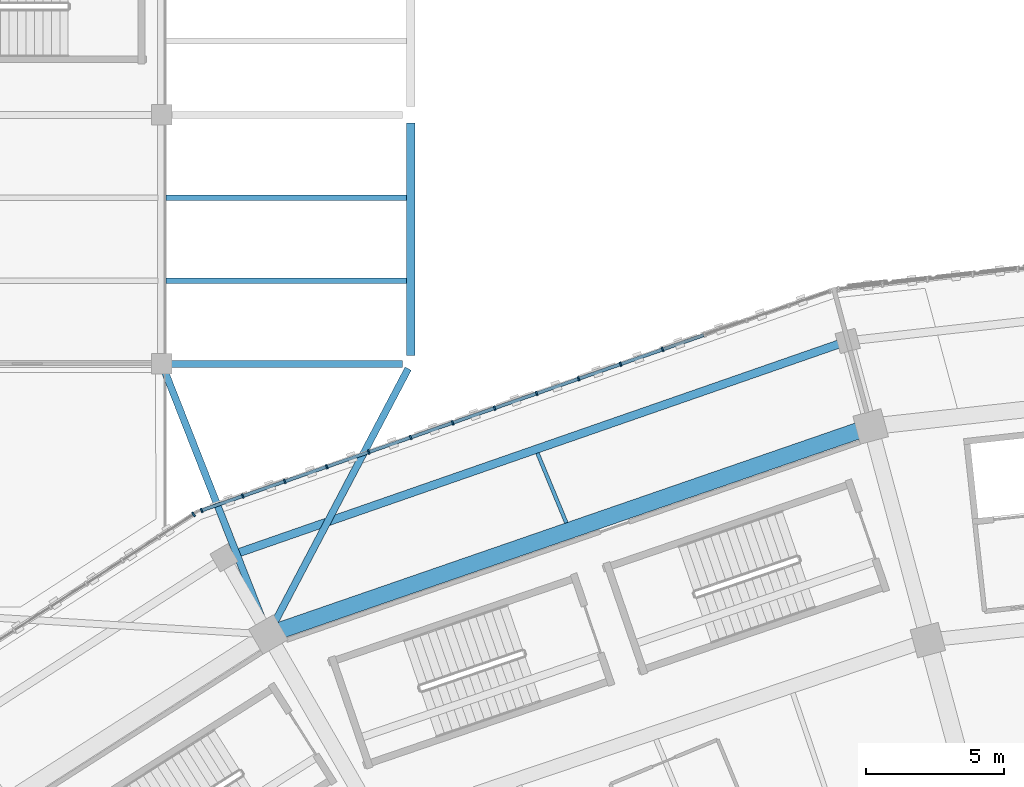
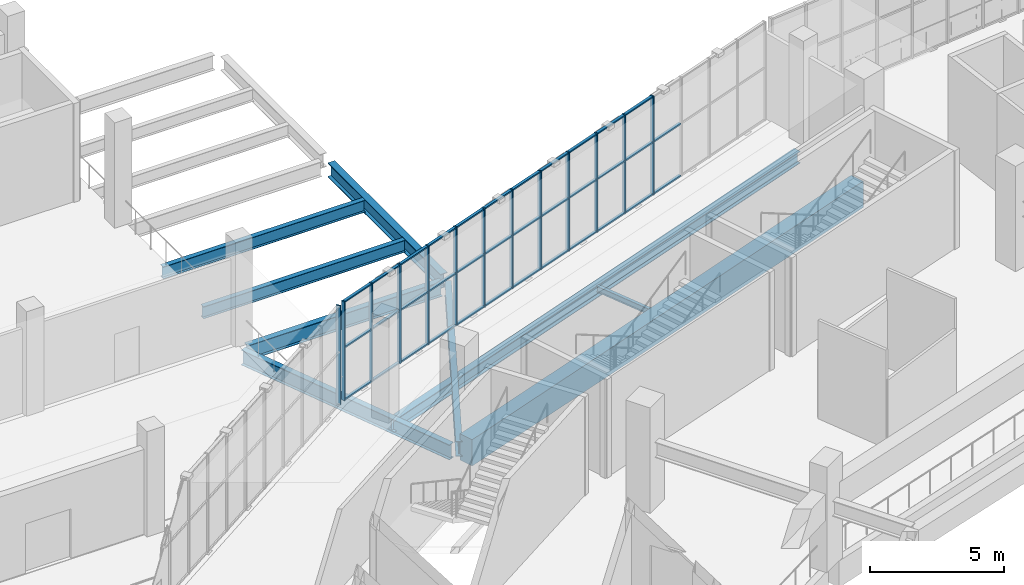
# One storey, part 58 of 179: 48 members, 9 beams, 2 elements without a shape of their own.
"""IFC4 building model written with IfcOpenShell, lengths in metres."""

import ifcopenshell
import ifcopenshell.guid

model = None  # the IFC model being written
_history = None  # IfcOwnerHistory: only IFC2X3 demands one
_inside = {}  # id of a spatial element -> (the spatial element, [elements in it])
_under = {}  # id of a project, library or spatial element -> (it, [spatial elements below it])
_declared = {}  # id of a project -> (the project, [libraries it declares])
_typed = {}  # id of a type object -> (the type object, [elements of that type])
_made_of = {}  # id of a material, layer set ... -> (it, [elements and type objects made of it])


def new_model(schema):
    """Start an empty IFC model of exactly this schema.

    Asked for "IFC4X3", IfcOpenShell would pick the latest addendum, in which some entities
    have other attributes; the version numbers below select the first issue.
    IFC2X3 requires an IfcOwnerHistory on every rooted entity: one is made here for all.
    """
    global model, _history
    if schema == "IFC4X3":
        model = ifcopenshell.file(schema_version=(4, 3, 0, 0))
    else:
        model = ifcopenshell.file(schema=schema)
    _inside.clear()
    _under.clear()
    _declared.clear()
    _typed.clear()
    _made_of.clear()
    _history = None
    if model.schema == "IFC2X3":
        org = make("IfcOrganization", Name="unknown")
        user = make(
            "IfcPersonAndOrganization",
            ThePerson=make("IfcPerson", FamilyName="unknown"),
            TheOrganization=org,
        )
        app = make(
            "IfcApplication",
            ApplicationDeveloper=org,
            Version="unknown",
            ApplicationFullName="unknown",
            ApplicationIdentifier="unknown",
        )
        _history = make(
            "IfcOwnerHistory",
            OwningUser=user,
            OwningApplication=app,
            ChangeAction="ADDED",
            CreationDate=0,
        )
    return model


def make(cls, **values):
    """One entity of the class cls with the attributes given. An attribute that is None is left unset."""
    return model.create_entity(
        cls, **{name: value for name, value in values.items() if value is not None}
    )


def rooted(cls, **values):
    """An entity with a GlobalId (a new one), such as an element, a storey or a relation."""
    return make(cls, GlobalId=ifcopenshell.guid.new(), OwnerHistory=_history, **values)


def si_unit(unit_type, name, prefix=None):
    """IfcSIUnit, for example si_unit("LENGTHUNIT", "METRE", prefix="MILLI")."""
    return make("IfcSIUnit", UnitType=unit_type, Prefix=prefix, Name=name)


def assignment(units):
    """IfcUnitAssignment: the units of a project."""
    return None if units is None else make("IfcUnitAssignment", Units=units)


def point(xyz):
    """IfcCartesianPoint."""
    return None if xyz is None else make("IfcCartesianPoint", Coordinates=xyz)


def direction(xyz):
    """IfcDirection."""
    return None if xyz is None else make("IfcDirection", DirectionRatios=xyz)


def frame(location, z_axis=None, x_axis=None):
    """IfcAxis2Placement3D, a coordinate frame: its origin and axes. An axis left out is left unset."""
    return make(
        "IfcAxis2Placement3D",
        Location=point(location),
        Axis=direction(z_axis),
        RefDirection=direction(x_axis),
    )


def frame_2d(location, x_axis=None):
    """IfcAxis2Placement2D, a coordinate frame in the plane: its origin and x axis."""
    return make(
        "IfcAxis2Placement2D", Location=point(location), RefDirection=direction(x_axis)
    )


def origin():
    """The frame at (0, 0, 0) with its axes left unset."""
    return frame((0.0, 0.0, 0.0))


def origin_2d():
    """The frame at (0, 0) in the plane with its x axis left unset."""
    return frame_2d((0.0, 0.0))


def place(relative_to, where):
    """IfcLocalPlacement: puts the frame where relative to a parent placement (None: the world)."""
    return make(
        "IfcLocalPlacement", PlacementRelTo=relative_to, RelativePlacement=where
    )


def context(
    kind, dimensions, precision=None, world=None, true_north=None, identifier=None
):
    """IfcGeometricRepresentationContext, for example the 3D "Model" context."""
    return make(
        "IfcGeometricRepresentationContext",
        ContextIdentifier=identifier,
        ContextType=kind,
        CoordinateSpaceDimension=dimensions,
        Precision=precision,
        WorldCoordinateSystem=world,
        TrueNorth=true_north,
    )


def subcontext(parent, identifier, kind, view, scale=None):
    """IfcGeometricRepresentationSubContext, for example "Body" below "Model"."""
    return make(
        "IfcGeometricRepresentationSubContext",
        ContextIdentifier=identifier,
        ContextType=kind,
        ParentContext=parent,
        TargetScale=scale,
        TargetView=view,
    )


def project(units=None, contexts=None):
    """IfcProject with its units and contexts."""
    return rooted(
        "IfcProject",
        Name="project",
        RepresentationContexts=contexts,
        UnitsInContext=assignment(units),
    )


def spatial(cls, under=None, at=None, **own):
    """A site, building, storey or space (cls), placed at a placement, below another one or the project."""
    s = rooted(cls, ObjectPlacement=at, **own)
    if under is not None:
        _under.setdefault(under.id(), (under, []))[1].append(s)
    return s


def profile(cls, at=None, kind="AREA", **sizes):
    """A parametric profile (cls). Its sizes go by their IFC names, for example OverallWidth=200.0."""
    return make(cls, ProfileType=kind, Position=at, **sizes)


def rectangle(**sizes):
    """IfcRectangleProfileDef."""
    return profile("IfcRectangleProfileDef", **sizes)


def i_section(**sizes):
    """IfcIShapeProfileDef."""
    return profile("IfcIShapeProfileDef", **sizes)


def extrude(swept, where, along, depth):
    """IfcExtrudedAreaSolid: the profile swept, set in the frame where, extruded along a direction by depth."""
    return make(
        "IfcExtrudedAreaSolid",
        SweptArea=swept,
        Position=where,
        ExtrudedDirection=direction(along),
        Depth=depth,
    )


def shape(context_of_items, identifier, shape_type, items):
    """IfcShapeRepresentation: the items that make up one representation, for example the "Body"."""
    return make(
        "IfcShapeRepresentation",
        ContextOfItems=context_of_items,
        RepresentationIdentifier=identifier,
        RepresentationType=shape_type,
        Items=items,
    )


def material(Name=None, Category=None):
    """IfcMaterial."""
    return make("IfcMaterial", Name=Name, Category=Category)


def material_profile(
    of_material, cross_section, Name=None, Category=None, Priority=None
):
    """IfcMaterialProfile: a cross section and its material."""
    return make(
        "IfcMaterialProfile",
        Name=Name,
        Material=of_material,
        Profile=cross_section,
        Priority=Priority,
        Category=Category,
    )


def profile_set(profiles, Name=None, composite=None):
    """IfcMaterialProfileSet."""
    return make(
        "IfcMaterialProfileSet",
        Name=Name,
        MaterialProfiles=profiles,
        CompositeProfile=composite,
    )


def made_of(thing, what):
    """Note that an element or type object is made of a material, layer set ...; save() writes the relation."""
    if what is not None:
        _made_of.setdefault(what.id(), (what, []))[1].append(thing)
    return thing


def type_object(cls, material=None, **own):
    """A type object (cls), such as IfcWallType, which elements share."""
    return made_of(rooted(cls, **own), material)


def element(
    cls,
    number,
    at=None,
    inside=None,
    cuts=None,
    type_object=None,
    material=None,
    context=None,
    identifier="Body",
    shape_type=None,
    held_by="IfcProductDefinitionShape",
    body=None,
    shapes=None,
    **own,
):
    """One element of the class cls, such as IfcWall. Its Tag is "e" and its number.

    at: its placement. inside: the storey or other place that contains it. cuts: it is an
    opening in that element (IfcRelVoidsElement). A single representation is given by context,
    identifier, shape_type and body (its items); several are given by shapes. held_by: the class
    of the entity that holds the representations. save() writes the other relations.
    """
    e = rooted(cls, Tag="e%d" % number, ObjectPlacement=at, **own)
    if body is not None:
        shapes = [shape(context, identifier, shape_type, body)]
    if shapes is not None:
        e.Representation = make(held_by, Representations=shapes)
    if inside is not None:
        _inside.setdefault(inside.id(), (inside, []))[1].append(e)
    if cuts is not None:
        rooted(
            "IfcRelVoidsElement", RelatingBuildingElement=cuts, RelatedOpeningElement=e
        )
    if type_object is not None:
        _typed.setdefault(type_object.id(), (type_object, []))[1].append(e)
    return made_of(e, material)


def aggregate(whole, parts):
    """IfcRelAggregates: a whole, such as a stair, and the parts it consists of."""
    return rooted("IfcRelAggregates", RelatingObject=whole, RelatedObjects=parts)


def save(model, path):
    """Write the relations noted so far, then the file.

    IfcRelAggregates (storeys below a building ...), IfcRelContainedInSpatialStructure (elements
    in a storey), IfcRelDefinesByType, IfcRelAssociatesMaterial and IfcRelDeclares: one each for
    every whole, place, type object, material and project.
    """
    for whole, parts in _under.values():
        aggregate(whole, parts)
    for where, things in _inside.values():
        rooted(
            "IfcRelContainedInSpatialStructure",
            RelatedElements=things,
            RelatingStructure=where,
        )
    for kind, things in _typed.values():
        rooted("IfcRelDefinesByType", RelatedObjects=things, RelatingType=kind)
    for what, things in _made_of.values():
        rooted("IfcRelAssociatesMaterial", RelatedObjects=things, RelatingMaterial=what)
    for by, libraries in _declared.values():
        rooted("IfcRelDeclares", RelatingContext=by, RelatedDefinitions=libraries)
    model.write(path)


model = new_model("IFC4")

# Units and contexts
model_context = context("Model", 3, precision=1e-05, world=origin(), true_north=direction((0.0, 1.0)))
body_context = subcontext(model_context, "Body", "Model", "MODEL_VIEW")
ifc_project = project(units=[si_unit("LENGTHUNIT", "METRE"), si_unit("AREAUNIT", "SQUARE_METRE"), si_unit("VOLUMEUNIT", "CUBIC_METRE"), si_unit("PLANEANGLEUNIT", "RADIAN"), si_unit("MASSUNIT", "GRAM", prefix="KILO")], contexts=[model_context])

# Site, building, storey
site_placement = place(None, origin())
site = spatial("IfcSite", under=ifc_project, at=site_placement, CompositionType="ELEMENT")
building_placement = place(site_placement, origin())
building = spatial("IfcBuilding", under=site, at=building_placement, Name="Zevraka Park Crest Stadium", CompositionType="ELEMENT")
storey_placement = place(building_placement, frame((0.0, 0.0, 10.199951171875)))
storey = spatial("IfcBuildingStorey", under=building, at=storey_placement, Name="L02", CompositionType="ELEMENT", Elevation=10.199951171875)

# Beams
ifc_material_1 = material(Name="Steel S355", Category="steel")
ifc_material_profile_1 = material_profile(ifc_material_1, i_section(OverallWidth=0.253662109375, OverallDepth=0.68359375, WebThickness=0.012451171875, FlangeThickness=0.01904296875, at=origin_2d()), Name="UKB 686x254x140")
ifc_profile_set_1 = profile_set([ifc_material_profile_1], Name="Steel S355")
beam_type_1 = type_object("IfcBeamType", Name="BG05", PredefinedType="BEAM", material=ifc_profile_set_1)
beam_1_placement = place(storey_placement, frame((63.300048828125, 167.0, -0.629638671875), z_axis=(1.0, 0.0, 0.0), x_axis=(0.0, 1.0, 0.0)))
element("IfcBeam", 1, at=beam_1_placement, inside=storey, type_object=beam_type_1, Name="Wing Girder BG05 L02-89/U", PredefinedType="BEAM", context=body_context, shape_type="SweptSolid", body=[
    extrude(i_section(OverallWidth=0.253662109375, OverallDepth=0.68359375, WebThickness=0.012451171875, FlangeThickness=0.01904296875, at=origin_2d()), origin(), (0.0, 0.0, 1.0), 8.39990234375),
])
beam_2_placement = place(storey_placement, frame((63.072998046875, 166.81396484375, -0.629638671875), z_axis=(0.366068857267, -0.930587766812, 0.0), x_axis=(0.930587766812, 0.366068857267, 0.0)))
element("IfcBeam", 2, at=beam_2_placement, inside=storey, type_object=beam_type_1, Name="Wing Link Girder BG05 L02-8/U", PredefinedType="BEAM", context=body_context, shape_type="SweptSolid", body=[
    extrude(i_section(OverallWidth=0.253662109375, OverallDepth=0.68359375, WebThickness=0.012451171875, FlangeThickness=0.01904296875, at=origin_2d()), origin(), (0.0, 0.0, 1.0), 9.937744140625),
])
beam_3_placement = place(storey_placement, frame((71.906982421875, 166.822998046875, -0.629638671875), z_axis=(-0.465623535035, -0.884982894536, 0.0), x_axis=(0.884982894536, -0.465623535035, 0.0)))
element("IfcBeam", 3, at=beam_3_placement, inside=storey, type_object=beam_type_1, Name="Wing Link Girder BG05 L02-9/U", PredefinedType="BEAM", context=body_context, shape_type="SweptSolid", body=[
    extrude(i_section(OverallWidth=0.253662109375, OverallDepth=0.68359375, WebThickness=0.012451171875, FlangeThickness=0.01904296875, at=origin_2d()), origin(), (0.0, 0.0, 1.0), 10.480224609375),
])
ifc_material_2 = material(Name="Steel S355", Category="steel")
ifc_material_profile_2 = material_profile(ifc_material_2, i_section(OverallWidth=0.300048828125, OverallDepth=0.64990234375, WebThickness=0.01611328125, FlangeThickness=0.031005859375, at=origin_2d()), Name="HEB 650")
ifc_profile_set_2 = profile_set([ifc_material_profile_2], Name="Steel S355")
beam_type_2 = type_object("IfcBeamType", Name="BG07", PredefinedType="BEAM", material=ifc_profile_set_2)
beam_4_placement = place(storey_placement, frame((72.0, 167.300048828125, -0.613037109375), z_axis=(0.0, 1.0, 0.0), x_axis=(-1.0, 0.0, 0.0)))
element("IfcBeam", 4, at=beam_4_placement, inside=storey, type_object=beam_type_2, Name="Wing Girder BG07 L02-9/UV", PredefinedType="BEAM", context=body_context, shape_type="SweptSolid", body=[
    extrude(i_section(OverallWidth=0.300048828125, OverallDepth=0.64990234375, WebThickness=0.01611328125, FlangeThickness=0.031005859375, at=origin_2d()), origin(), (0.0, 0.0, 1.0), 8.39990234375),
])

# Curtain wall, members
ifc_material_3 = material(Name="Anodised architectural aluminium and laminated safety glass", Category="aluminium")
curtain_wall_type_1 = type_object("IfcCurtainWallType", Name="CW07", PredefinedType="NOTDEFINED", material=ifc_material_3)
curtain_wall_1_placement = place(storey_placement, origin())
curtain_wall_1 = element("IfcCurtainWall", 5, at=curtain_wall_1_placement, inside=storey, type_object=curtain_wall_type_1, Name="Unitised Ring Curtain Wall CW07 L02-07", PredefinedType="NOTDEFINED")
ifc_material_4 = material(Name="Anodised architectural aluminium", Category="aluminium")
ifc_material_profile_3 = material_profile(ifc_material_4, rectangle(XDim=0.159912109375, YDim=0.06005859375, at=origin_2d()), Name="ALU MULLION 160x60")
ifc_profile_set_3 = profile_set([ifc_material_profile_3], Name="Anodised architectural aluminium")
member_type_1 = type_object("IfcMemberType", Name="CM01", PredefinedType="MULLION", material=ifc_profile_set_3)
member_1_placement = place(storey_placement, frame((81.10546875, 167.515380859375, 0.0), z_axis=(0.0, 0.0, 1.0), x_axis=(0.329618886002, -0.944114076789, 0.0)))
member_1 = element("IfcMember", 6, at=member_1_placement, type_object=member_type_1, Name="CW07 mullion 5", PredefinedType="MULLION", context=body_context, shape_type="SweptSolid", body=[
    extrude(rectangle(XDim=0.159912109375, YDim=0.06005859375, at=origin_2d()), origin(), (0.0, 0.0, 1.0), 4.5),
])
member_2_placement = place(storey_placement, frame((79.587646484375, 166.9853515625, 0.0), z_axis=(0.0, 0.0, 1.0), x_axis=(0.329618886002, -0.944114076789, 0.0)))
member_2 = element("IfcMember", 7, at=member_2_placement, type_object=member_type_1, Name="CW07 mullion 6", PredefinedType="MULLION", context=body_context, shape_type="SweptSolid", body=[
    extrude(rectangle(XDim=0.159912109375, YDim=0.06005859375, at=origin_2d()), origin(), (0.0, 0.0, 1.0), 4.5),
])
member_3_placement = place(storey_placement, frame((78.06982421875, 166.455322265625, 0.0), z_axis=(0.0, 0.0, 1.0), x_axis=(0.329618886002, -0.944114076789, 0.0)))
member_3 = element("IfcMember", 8, at=member_3_placement, type_object=member_type_1, Name="CW07 mullion 7", PredefinedType="MULLION", context=body_context, shape_type="SweptSolid", body=[
    extrude(rectangle(XDim=0.159912109375, YDim=0.06005859375, at=origin_2d()), origin(), (0.0, 0.0, 1.0), 4.5),
])
member_4_placement = place(storey_placement, frame((76.552001953125, 165.925537109375, 0.0), z_axis=(0.0, 0.0, 1.0), x_axis=(0.329618886002, -0.944114076789, 0.0)))
member_4 = element("IfcMember", 9, at=member_4_placement, type_object=member_type_1, Name="CW07 mullion 8", PredefinedType="MULLION", context=body_context, shape_type="SweptSolid", body=[
    extrude(rectangle(XDim=0.159912109375, YDim=0.06005859375, at=origin_2d()), origin(), (0.0, 0.0, 1.0), 4.5),
])
member_5_placement = place(storey_placement, frame((75.0341796875, 165.3955078125, 0.0), z_axis=(0.0, 0.0, 1.0), x_axis=(0.329618886002, -0.944114076789, 0.0)))
member_5 = element("IfcMember", 10, at=member_5_placement, type_object=member_type_1, Name="CW07 mullion 9", PredefinedType="MULLION", context=body_context, shape_type="SweptSolid", body=[
    extrude(rectangle(XDim=0.159912109375, YDim=0.06005859375, at=origin_2d()), origin(), (0.0, 0.0, 1.0), 4.5),
])
member_6_placement = place(storey_placement, frame((73.51611328125, 164.865478515625, 0.0), z_axis=(0.0, 0.0, 1.0), x_axis=(0.329618886002, -0.944114076789, 0.0)))
member_6 = element("IfcMember", 11, at=member_6_placement, type_object=member_type_1, Name="CW07 mullion 10", PredefinedType="MULLION", context=body_context, shape_type="SweptSolid", body=[
    extrude(rectangle(XDim=0.159912109375, YDim=0.06005859375, at=origin_2d()), origin(), (0.0, 0.0, 1.0), 4.5),
])
member_7_placement = place(storey_placement, frame((71.998291015625, 164.335693359375, 0.0), z_axis=(0.0, 0.0, 1.0), x_axis=(0.329618886002, -0.944114076789, 0.0)))
member_7 = element("IfcMember", 12, at=member_7_placement, type_object=member_type_1, Name="CW07 mullion 11", PredefinedType="MULLION", context=body_context, shape_type="SweptSolid", body=[
    extrude(rectangle(XDim=0.159912109375, YDim=0.06005859375, at=origin_2d()), origin(), (0.0, 0.0, 1.0), 4.5),
])
member_8_placement = place(storey_placement, frame((70.48046875, 163.8056640625, 0.0), z_axis=(0.0, 0.0, 1.0), x_axis=(0.329618886002, -0.944114076789, 0.0)))
member_8 = element("IfcMember", 13, at=member_8_placement, type_object=member_type_1, Name="CW07 mullion 12", PredefinedType="MULLION", context=body_context, shape_type="SweptSolid", body=[
    extrude(rectangle(XDim=0.159912109375, YDim=0.06005859375, at=origin_2d()), origin(), (0.0, 0.0, 1.0), 4.5),
])
member_9_placement = place(storey_placement, frame((68.962646484375, 163.27587890625, 0.0), z_axis=(0.0, 0.0, 1.0), x_axis=(0.329618886002, -0.944114076789, 0.0)))
member_9 = element("IfcMember", 14, at=member_9_placement, type_object=member_type_1, Name="CW07 mullion 13", PredefinedType="MULLION", context=body_context, shape_type="SweptSolid", body=[
    extrude(rectangle(XDim=0.159912109375, YDim=0.06005859375, at=origin_2d()), origin(), (0.0, 0.0, 1.0), 4.5),
])
member_10_placement = place(storey_placement, frame((67.44482421875, 162.745849609375, 0.0), z_axis=(0.0, 0.0, 1.0), x_axis=(0.329618886002, -0.944114076789, 0.0)))
member_10 = element("IfcMember", 15, at=member_10_placement, type_object=member_type_1, Name="CW07 mullion 14", PredefinedType="MULLION", context=body_context, shape_type="SweptSolid", body=[
    extrude(rectangle(XDim=0.159912109375, YDim=0.06005859375, at=origin_2d()), origin(), (0.0, 0.0, 1.0), 4.5),
])
member_11_placement = place(storey_placement, frame((65.9267578125, 162.2158203125, 0.0), z_axis=(0.0, 0.0, 1.0), x_axis=(0.329618886002, -0.944114076789, 0.0)))
member_11 = element("IfcMember", 16, at=member_11_placement, type_object=member_type_1, Name="CW07 mullion 15", PredefinedType="MULLION", context=body_context, shape_type="SweptSolid", body=[
    extrude(rectangle(XDim=0.159912109375, YDim=0.06005859375, at=origin_2d()), origin(), (0.0, 0.0, 1.0), 4.5),
])
member_12_placement = place(storey_placement, frame((64.437255859375, 161.69580078125, 0.0), z_axis=(0.0, 0.0, 1.0), x_axis=(0.329618886002, -0.944114076789, 0.0)))
member_12 = element("IfcMember", 17, at=member_12_placement, type_object=member_type_1, Name="CW07 mullion 16", PredefinedType="MULLION", context=body_context, shape_type="SweptSolid", body=[
    extrude(rectangle(XDim=0.159912109375, YDim=0.06005859375, at=origin_2d()), origin(), (0.0, 0.0, 1.0), 4.5),
])

# Curtain wall, member
ifc_material_5 = material(Name="Anodised architectural aluminium and laminated safety glass", Category="aluminium")
curtain_wall_type_2 = type_object("IfcCurtainWallType", Name="CW08", PredefinedType="NOTDEFINED", material=ifc_material_5)
curtain_wall_2_placement = place(storey_placement, origin())
curtain_wall_2 = element("IfcCurtainWall", 18, at=curtain_wall_2_placement, inside=storey, type_object=curtain_wall_type_2, Name="Unitised Ring Curtain Wall CW08 L02-08", PredefinedType="NOTDEFINED")
ifc_material_6 = material(Name="Anodised architectural aluminium", Category="aluminium")
ifc_material_profile_4 = material_profile(ifc_material_6, rectangle(XDim=0.179931640625, YDim=0.06494140625, at=origin_2d()), Name="ALU MULLION 180x65")
ifc_profile_set_4 = profile_set([ifc_material_profile_4], Name="Anodised architectural aluminium")
member_type_2 = type_object("IfcMemberType", Name="CM02", PredefinedType="MULLION", material=ifc_profile_set_4)
member_13_placement = place(storey_placement, frame((64.148681640625, 161.554443359375, 0.0), z_axis=(0.0, 0.0, 1.0), x_axis=(0.543096287444, -0.839670424967, 0.0)))
member_13 = element("IfcMember", 19, at=member_13_placement, type_object=member_type_2, Name="CW08 mullion 1", PredefinedType="MULLION", context=body_context, shape_type="SweptSolid", body=[
    extrude(rectangle(XDim=0.179931640625, YDim=0.06494140625, at=origin_2d()), origin(), (0.0, 0.0, 1.0), 4.5),
])
aggregate(curtain_wall_2, [member_13])

# Member
ifc_material_7 = material(Name="Anodised architectural aluminium", Category="aluminium")
ifc_material_profile_5 = material_profile(ifc_material_7, rectangle(XDim=0.1201171875, YDim=0.06005859375, at=origin_2d()), Name="ALU TRANSOM 120x60")
ifc_profile_set_5 = profile_set([ifc_material_profile_5], Name="Anodised architectural aluminium")
member_type_3 = type_object("IfcMemberType", Name="CT01", PredefinedType="USERDEFINED", material=ifc_profile_set_5)
member_14_placement = place(storey_placement, frame((82.594970703125, 168.035400390625, 0.030029296875), z_axis=(-0.944091748578, -0.329682832837, 0.0), x_axis=(0.329682832837, -0.944091748578, 0.0)))
member_14 = element("IfcMember", 20, at=member_14_placement, type_object=member_type_3, Name="CW07 transom 4.1", ObjectType="TRANSOM", PredefinedType="USERDEFINED", context=body_context, shape_type="SweptSolid", body=[
    extrude(rectangle(XDim=0.1201171875, YDim=0.06005859375, at=origin_2d()), origin(), (0.0, 0.0, 1.0), 1.547607421875),
])

member_15_placement = place(storey_placement, frame((82.594970703125, 168.035400390625, 2.400146484375), z_axis=(-0.944091748578, -0.329682832837, 0.0), x_axis=(0.329682832837, -0.944091748578, 0.0)))
member_15 = element("IfcMember", 21, at=member_15_placement, type_object=member_type_3, Name="CW07 transom 4.2", ObjectType="TRANSOM", PredefinedType="USERDEFINED", context=body_context, shape_type="SweptSolid", body=[
    extrude(rectangle(XDim=0.1201171875, YDim=0.06005859375, at=origin_2d()), origin(), (0.0, 0.0, 1.0), 1.547607421875),
])

member_16_placement = place(storey_placement, frame((81.0771484375, 167.50537109375, 0.030029296875), z_axis=(-0.944091748578, -0.329682832837, 0.0), x_axis=(0.329682832837, -0.944091748578, 0.0)))
member_16 = element("IfcMember", 22, at=member_16_placement, type_object=member_type_3, Name="CW07 transom 5.1", ObjectType="TRANSOM", PredefinedType="USERDEFINED", context=body_context, shape_type="SweptSolid", body=[
    extrude(rectangle(XDim=0.1201171875, YDim=0.06005859375, at=origin_2d()), origin(), (0.0, 0.0, 1.0), 1.547607421875),
])

member_17_placement = place(storey_placement, frame((81.0771484375, 167.50537109375, 2.400146484375), z_axis=(-0.944091748578, -0.329682832837, 0.0), x_axis=(0.329682832837, -0.944091748578, 0.0)))
member_17 = element("IfcMember", 23, at=member_17_placement, type_object=member_type_3, Name="CW07 transom 5.2", ObjectType="TRANSOM", PredefinedType="USERDEFINED", context=body_context, shape_type="SweptSolid", body=[
    extrude(rectangle(XDim=0.1201171875, YDim=0.06005859375, at=origin_2d()), origin(), (0.0, 0.0, 1.0), 1.547607421875),
])

member_18_placement = place(storey_placement, frame((81.0771484375, 167.50537109375, 4.469970703125), z_axis=(-0.944091748578, -0.329682832837, 0.0), x_axis=(0.329682832837, -0.944091748578, 0.0)))
member_18 = element("IfcMember", 24, at=member_18_placement, type_object=member_type_3, Name="CW07 transom 5.3", ObjectType="TRANSOM", PredefinedType="USERDEFINED", context=body_context, shape_type="SweptSolid", body=[
    extrude(rectangle(XDim=0.1201171875, YDim=0.06005859375, at=origin_2d()), origin(), (0.0, 0.0, 1.0), 1.547607421875),
])

member_19_placement = place(storey_placement, frame((79.559326171875, 166.975341796875, 0.030029296875), z_axis=(-0.944140838297, -0.329542224094, 0.0), x_axis=(0.329542224094, -0.944140838297, 0.0)))
member_19 = element("IfcMember", 25, at=member_19_placement, type_object=member_type_3, Name="CW07 transom 6.1", ObjectType="TRANSOM", PredefinedType="USERDEFINED", context=body_context, shape_type="SweptSolid", body=[
    extrude(rectangle(XDim=0.1201171875, YDim=0.06005859375, at=origin_2d()), origin(), (0.0, 0.0, 1.0), 1.547607421875),
])

member_20_placement = place(storey_placement, frame((79.559326171875, 166.975341796875, 2.400146484375), z_axis=(-0.944140838297, -0.329542224094, 0.0), x_axis=(0.329542224094, -0.944140838297, 0.0)))
member_20 = element("IfcMember", 26, at=member_20_placement, type_object=member_type_3, Name="CW07 transom 6.2", ObjectType="TRANSOM", PredefinedType="USERDEFINED", context=body_context, shape_type="SweptSolid", body=[
    extrude(rectangle(XDim=0.1201171875, YDim=0.06005859375, at=origin_2d()), origin(), (0.0, 0.0, 1.0), 1.547607421875),
])

member_21_placement = place(storey_placement, frame((79.559326171875, 166.975341796875, 4.469970703125), z_axis=(-0.944140838297, -0.329542224094, 0.0), x_axis=(0.329542224094, -0.944140838297, 0.0)))
member_21 = element("IfcMember", 27, at=member_21_placement, type_object=member_type_3, Name="CW07 transom 6.3", ObjectType="TRANSOM", PredefinedType="USERDEFINED", context=body_context, shape_type="SweptSolid", body=[
    extrude(rectangle(XDim=0.1201171875, YDim=0.06005859375, at=origin_2d()), origin(), (0.0, 0.0, 1.0), 1.547607421875),
])

member_22_placement = place(storey_placement, frame((78.04150390625, 166.445556640625, 0.030029296875), z_axis=(-0.944091748578, -0.329682832837, 0.0), x_axis=(0.329682832837, -0.944091748578, 0.0)))
member_22 = element("IfcMember", 28, at=member_22_placement, type_object=member_type_3, Name="CW07 transom 7.1", ObjectType="TRANSOM", PredefinedType="USERDEFINED", context=body_context, shape_type="SweptSolid", body=[
    extrude(rectangle(XDim=0.1201171875, YDim=0.06005859375, at=origin_2d()), origin(), (0.0, 0.0, 1.0), 1.547607421875),
])

member_23_placement = place(storey_placement, frame((78.04150390625, 166.445556640625, 2.400146484375), z_axis=(-0.944091748578, -0.329682832837, 0.0), x_axis=(0.329682832837, -0.944091748578, 0.0)))
member_23 = element("IfcMember", 29, at=member_23_placement, type_object=member_type_3, Name="CW07 transom 7.2", ObjectType="TRANSOM", PredefinedType="USERDEFINED", context=body_context, shape_type="SweptSolid", body=[
    extrude(rectangle(XDim=0.1201171875, YDim=0.06005859375, at=origin_2d()), origin(), (0.0, 0.0, 1.0), 1.547607421875),
])

member_24_placement = place(storey_placement, frame((78.04150390625, 166.445556640625, 4.469970703125), z_axis=(-0.944091748578, -0.329682832837, 0.0), x_axis=(0.329682832837, -0.944091748578, 0.0)))
member_24 = element("IfcMember", 30, at=member_24_placement, type_object=member_type_3, Name="CW07 transom 7.3", ObjectType="TRANSOM", PredefinedType="USERDEFINED", context=body_context, shape_type="SweptSolid", body=[
    extrude(rectangle(XDim=0.1201171875, YDim=0.06005859375, at=origin_2d()), origin(), (0.0, 0.0, 1.0), 1.547607421875),
])

member_25_placement = place(storey_placement, frame((76.523681640625, 165.91552734375, 0.030029296875), z_axis=(-0.944140838297, -0.329542224094, 0.0), x_axis=(0.329542224094, -0.944140838297, 0.0)))
member_25 = element("IfcMember", 31, at=member_25_placement, type_object=member_type_3, Name="CW07 transom 8.1", ObjectType="TRANSOM", PredefinedType="USERDEFINED", context=body_context, shape_type="SweptSolid", body=[
    extrude(rectangle(XDim=0.1201171875, YDim=0.06005859375, at=origin_2d()), origin(), (0.0, 0.0, 1.0), 1.547607421875),
])

member_26_placement = place(storey_placement, frame((76.523681640625, 165.91552734375, 2.400146484375), z_axis=(-0.944140838297, -0.329542224094, 0.0), x_axis=(0.329542224094, -0.944140838297, 0.0)))
member_26 = element("IfcMember", 32, at=member_26_placement, type_object=member_type_3, Name="CW07 transom 8.2", ObjectType="TRANSOM", PredefinedType="USERDEFINED", context=body_context, shape_type="SweptSolid", body=[
    extrude(rectangle(XDim=0.1201171875, YDim=0.06005859375, at=origin_2d()), origin(), (0.0, 0.0, 1.0), 1.547607421875),
])

member_27_placement = place(storey_placement, frame((76.523681640625, 165.91552734375, 4.469970703125), z_axis=(-0.944140838297, -0.329542224094, 0.0), x_axis=(0.329542224094, -0.944140838297, 0.0)))
member_27 = element("IfcMember", 33, at=member_27_placement, type_object=member_type_3, Name="CW07 transom 8.3", ObjectType="TRANSOM", PredefinedType="USERDEFINED", context=body_context, shape_type="SweptSolid", body=[
    extrude(rectangle(XDim=0.1201171875, YDim=0.06005859375, at=origin_2d()), origin(), (0.0, 0.0, 1.0), 1.547607421875),
])

member_28_placement = place(storey_placement, frame((75.005859375, 165.3857421875, 0.030029296875), z_axis=(-0.944108889955, -0.329633742066, 0.0), x_axis=(0.329633742066, -0.944108889955, 0.0)))
member_28 = element("IfcMember", 34, at=member_28_placement, type_object=member_type_3, Name="CW07 transom 9.1", ObjectType="TRANSOM", PredefinedType="USERDEFINED", context=body_context, shape_type="SweptSolid", body=[
    extrude(rectangle(XDim=0.1201171875, YDim=0.06005859375, at=origin_2d()), origin(), (0.0, 0.0, 1.0), 1.5478515625),
])

member_29_placement = place(storey_placement, frame((75.005859375, 165.3857421875, 2.400146484375), z_axis=(-0.944108889955, -0.329633742066, 0.0), x_axis=(0.329633742066, -0.944108889955, 0.0)))
member_29 = element("IfcMember", 35, at=member_29_placement, type_object=member_type_3, Name="CW07 transom 9.2", ObjectType="TRANSOM", PredefinedType="USERDEFINED", context=body_context, shape_type="SweptSolid", body=[
    extrude(rectangle(XDim=0.1201171875, YDim=0.06005859375, at=origin_2d()), origin(), (0.0, 0.0, 1.0), 1.5478515625),
])

member_30_placement = place(storey_placement, frame((75.005859375, 165.3857421875, 4.469970703125), z_axis=(-0.944108889955, -0.329633742066, 0.0), x_axis=(0.329633742066, -0.944108889955, 0.0)))
member_30 = element("IfcMember", 36, at=member_30_placement, type_object=member_type_3, Name="CW07 transom 9.3", ObjectType="TRANSOM", PredefinedType="USERDEFINED", context=body_context, shape_type="SweptSolid", body=[
    extrude(rectangle(XDim=0.1201171875, YDim=0.06005859375, at=origin_2d()), origin(), (0.0, 0.0, 1.0), 1.5478515625),
])

member_31_placement = place(storey_placement, frame((73.48779296875, 164.855712890625, 0.030029296875), z_axis=(-0.944091748578, -0.329682832837, 0.0), x_axis=(0.329682832837, -0.944091748578, 0.0)))
member_31 = element("IfcMember", 37, at=member_31_placement, type_object=member_type_3, Name="CW07 transom 10.1", ObjectType="TRANSOM", PredefinedType="USERDEFINED", context=body_context, shape_type="SweptSolid", body=[
    extrude(rectangle(XDim=0.1201171875, YDim=0.06005859375, at=origin_2d()), origin(), (0.0, 0.0, 1.0), 1.547607421875),
])

member_32_placement = place(storey_placement, frame((73.48779296875, 164.855712890625, 2.400146484375), z_axis=(-0.944091748578, -0.329682832837, 0.0), x_axis=(0.329682832837, -0.944091748578, 0.0)))
member_32 = element("IfcMember", 38, at=member_32_placement, type_object=member_type_3, Name="CW07 transom 10.2", ObjectType="TRANSOM", PredefinedType="USERDEFINED", context=body_context, shape_type="SweptSolid", body=[
    extrude(rectangle(XDim=0.1201171875, YDim=0.06005859375, at=origin_2d()), origin(), (0.0, 0.0, 1.0), 1.547607421875),
])

member_33_placement = place(storey_placement, frame((73.48779296875, 164.855712890625, 4.469970703125), z_axis=(-0.944091748578, -0.329682832837, 0.0), x_axis=(0.329682832837, -0.944091748578, 0.0)))
member_33 = element("IfcMember", 39, at=member_33_placement, type_object=member_type_3, Name="CW07 transom 10.3", ObjectType="TRANSOM", PredefinedType="USERDEFINED", context=body_context, shape_type="SweptSolid", body=[
    extrude(rectangle(XDim=0.1201171875, YDim=0.06005859375, at=origin_2d()), origin(), (0.0, 0.0, 1.0), 1.547607421875),
])

member_34_placement = place(storey_placement, frame((71.969970703125, 164.32568359375, 0.030029296875), z_axis=(-0.944140838297, -0.329542224094, 0.0), x_axis=(0.329542224094, -0.944140838297, 0.0)))
member_34 = element("IfcMember", 40, at=member_34_placement, type_object=member_type_3, Name="CW07 transom 11.1", ObjectType="TRANSOM", PredefinedType="USERDEFINED", context=body_context, shape_type="SweptSolid", body=[
    extrude(rectangle(XDim=0.1201171875, YDim=0.06005859375, at=origin_2d()), origin(), (0.0, 0.0, 1.0), 1.547607421875),
])

member_35_placement = place(storey_placement, frame((71.969970703125, 164.32568359375, 2.400146484375), z_axis=(-0.944140838297, -0.329542224094, 0.0), x_axis=(0.329542224094, -0.944140838297, 0.0)))
member_35 = element("IfcMember", 41, at=member_35_placement, type_object=member_type_3, Name="CW07 transom 11.2", ObjectType="TRANSOM", PredefinedType="USERDEFINED", context=body_context, shape_type="SweptSolid", body=[
    extrude(rectangle(XDim=0.1201171875, YDim=0.06005859375, at=origin_2d()), origin(), (0.0, 0.0, 1.0), 1.547607421875),
])

member_36_placement = place(storey_placement, frame((71.969970703125, 164.32568359375, 4.469970703125), z_axis=(-0.944140838297, -0.329542224094, 0.0), x_axis=(0.329542224094, -0.944140838297, 0.0)))
member_36 = element("IfcMember", 42, at=member_36_placement, type_object=member_type_3, Name="CW07 transom 11.3", ObjectType="TRANSOM", PredefinedType="USERDEFINED", context=body_context, shape_type="SweptSolid", body=[
    extrude(rectangle(XDim=0.1201171875, YDim=0.06005859375, at=origin_2d()), origin(), (0.0, 0.0, 1.0), 1.547607421875),
])

member_37_placement = place(storey_placement, frame((70.4521484375, 163.7958984375, 0.030029296875), z_axis=(-0.944091748578, -0.329682832837, 0.0), x_axis=(0.329682832837, -0.944091748578, 0.0)))
member_37 = element("IfcMember", 43, at=member_37_placement, type_object=member_type_3, Name="CW07 transom 12.1", ObjectType="TRANSOM", PredefinedType="USERDEFINED", context=body_context, shape_type="SweptSolid", body=[
    extrude(rectangle(XDim=0.1201171875, YDim=0.06005859375, at=origin_2d()), origin(), (0.0, 0.0, 1.0), 1.547607421875),
])

member_38_placement = place(storey_placement, frame((70.4521484375, 163.7958984375, 2.400146484375), z_axis=(-0.944091748578, -0.329682832837, 0.0), x_axis=(0.329682832837, -0.944091748578, 0.0)))
member_38 = element("IfcMember", 44, at=member_38_placement, type_object=member_type_3, Name="CW07 transom 12.2", ObjectType="TRANSOM", PredefinedType="USERDEFINED", context=body_context, shape_type="SweptSolid", body=[
    extrude(rectangle(XDim=0.1201171875, YDim=0.06005859375, at=origin_2d()), origin(), (0.0, 0.0, 1.0), 1.547607421875),
])

member_39_placement = place(storey_placement, frame((70.4521484375, 163.7958984375, 4.469970703125), z_axis=(-0.944091748578, -0.329682832837, 0.0), x_axis=(0.329682832837, -0.944091748578, 0.0)))
member_39 = element("IfcMember", 45, at=member_39_placement, type_object=member_type_3, Name="CW07 transom 12.3", ObjectType="TRANSOM", PredefinedType="USERDEFINED", context=body_context, shape_type="SweptSolid", body=[
    extrude(rectangle(XDim=0.1201171875, YDim=0.06005859375, at=origin_2d()), origin(), (0.0, 0.0, 1.0), 1.547607421875),
])

member_40_placement = place(storey_placement, frame((68.934326171875, 163.265869140625, 0.030029296875), z_axis=(-0.944140838297, -0.329542224094, 0.0), x_axis=(0.329542224094, -0.944140838297, 0.0)))
member_40 = element("IfcMember", 46, at=member_40_placement, type_object=member_type_3, Name="CW07 transom 13.1", ObjectType="TRANSOM", PredefinedType="USERDEFINED", context=body_context, shape_type="SweptSolid", body=[
    extrude(rectangle(XDim=0.1201171875, YDim=0.06005859375, at=origin_2d()), origin(), (0.0, 0.0, 1.0), 1.547607421875),
])

member_41_placement = place(storey_placement, frame((68.934326171875, 163.265869140625, 2.400146484375), z_axis=(-0.944140838297, -0.329542224094, 0.0), x_axis=(0.329542224094, -0.944140838297, 0.0)))
member_41 = element("IfcMember", 47, at=member_41_placement, type_object=member_type_3, Name="CW07 transom 13.2", ObjectType="TRANSOM", PredefinedType="USERDEFINED", context=body_context, shape_type="SweptSolid", body=[
    extrude(rectangle(XDim=0.1201171875, YDim=0.06005859375, at=origin_2d()), origin(), (0.0, 0.0, 1.0), 1.547607421875),
])

member_42_placement = place(storey_placement, frame((68.934326171875, 163.265869140625, 4.469970703125), z_axis=(-0.944140838297, -0.329542224094, 0.0), x_axis=(0.329542224094, -0.944140838297, 0.0)))
member_42 = element("IfcMember", 48, at=member_42_placement, type_object=member_type_3, Name="CW07 transom 13.3", ObjectType="TRANSOM", PredefinedType="USERDEFINED", context=body_context, shape_type="SweptSolid", body=[
    extrude(rectangle(XDim=0.1201171875, YDim=0.06005859375, at=origin_2d()), origin(), (0.0, 0.0, 1.0), 1.547607421875),
])

member_43_placement = place(storey_placement, frame((67.41650390625, 162.736083984375, 0.030029296875), z_axis=(-0.944108889955, -0.329633742066, 0.0), x_axis=(0.329633742066, -0.944108889955, 0.0)))
member_43 = element("IfcMember", 49, at=member_43_placement, type_object=member_type_3, Name="CW07 transom 14.1", ObjectType="TRANSOM", PredefinedType="USERDEFINED", context=body_context, shape_type="SweptSolid", body=[
    extrude(rectangle(XDim=0.1201171875, YDim=0.06005859375, at=origin_2d()), origin(), (0.0, 0.0, 1.0), 1.5478515625),
])

member_44_placement = place(storey_placement, frame((67.41650390625, 162.736083984375, 2.400146484375), z_axis=(-0.944108889955, -0.329633742066, 0.0), x_axis=(0.329633742066, -0.944108889955, 0.0)))
member_44 = element("IfcMember", 50, at=member_44_placement, type_object=member_type_3, Name="CW07 transom 14.2", ObjectType="TRANSOM", PredefinedType="USERDEFINED", context=body_context, shape_type="SweptSolid", body=[
    extrude(rectangle(XDim=0.1201171875, YDim=0.06005859375, at=origin_2d()), origin(), (0.0, 0.0, 1.0), 1.5478515625),
])

member_45_placement = place(storey_placement, frame((67.41650390625, 162.736083984375, 4.469970703125), z_axis=(-0.944108889955, -0.329633742066, 0.0), x_axis=(0.329633742066, -0.944108889955, 0.0)))
member_45 = element("IfcMember", 51, at=member_45_placement, type_object=member_type_3, Name="CW07 transom 14.3", ObjectType="TRANSOM", PredefinedType="USERDEFINED", context=body_context, shape_type="SweptSolid", body=[
    extrude(rectangle(XDim=0.1201171875, YDim=0.06005859375, at=origin_2d()), origin(), (0.0, 0.0, 1.0), 1.5478515625),
])

member_46_placement = place(storey_placement, frame((65.8984375, 162.2060546875, 0.030029296875), z_axis=(-0.944116383241, -0.329612279649, 0.0), x_axis=(0.329612279649, -0.944116383241, 0.0)))
member_46 = element("IfcMember", 52, at=member_46_placement, type_object=member_type_3, Name="CW07 transom 15.1", ObjectType="TRANSOM", PredefinedType="USERDEFINED", context=body_context, shape_type="SweptSolid", body=[
    extrude(rectangle(XDim=0.1201171875, YDim=0.06005859375, at=origin_2d()), origin(), (0.0, 0.0, 1.0), 1.517578125),
])

member_47_placement = place(storey_placement, frame((65.8984375, 162.2060546875, 2.400146484375), z_axis=(-0.944116383241, -0.329612279649, 0.0), x_axis=(0.329612279649, -0.944116383241, 0.0)))
member_47 = element("IfcMember", 53, at=member_47_placement, type_object=member_type_3, Name="CW07 transom 15.2", ObjectType="TRANSOM", PredefinedType="USERDEFINED", context=body_context, shape_type="SweptSolid", body=[
    extrude(rectangle(XDim=0.1201171875, YDim=0.06005859375, at=origin_2d()), origin(), (0.0, 0.0, 1.0), 1.517578125),
])

member_48_placement = place(storey_placement, frame((65.8984375, 162.2060546875, 4.469970703125), z_axis=(-0.944116383241, -0.329612279649, 0.0), x_axis=(0.329612279649, -0.944116383241, 0.0)))
member_48 = element("IfcMember", 54, at=member_48_placement, type_object=member_type_3, Name="CW07 transom 15.3", ObjectType="TRANSOM", PredefinedType="USERDEFINED", context=body_context, shape_type="SweptSolid", body=[
    extrude(rectangle(XDim=0.1201171875, YDim=0.06005859375, at=origin_2d()), origin(), (0.0, 0.0, 1.0), 1.517578125),
])

aggregate(curtain_wall_1, [member_1, member_2, member_3, member_4, member_5, member_6, member_7, member_8, member_9, member_10, member_11, member_12, member_14, member_15, member_16, member_17, member_18, member_19, member_20, member_21, member_22, member_23, member_24, member_25, member_26, member_27, member_28, member_29, member_30, member_31, member_32, member_33, member_34, member_35, member_36, member_37, member_38, member_39, member_40, member_41, member_42, member_43, member_44, member_45, member_46, member_47, member_48])

# Beams
ifc_material_8 = material(Name="Concrete C40/50", Category="concrete")
ifc_material_profile_6 = material_profile(ifc_material_8, rectangle(XDim=0.60009765625, YDim=1.199951171875, at=origin_2d()), Name="RC 1200x600")
ifc_profile_set_6 = profile_set([ifc_material_profile_6], Name="Concrete C40/50")
beam_type_3 = type_object("IfcBeamType", Name="RB01", PredefinedType="BEAM", material=ifc_profile_set_6)
beam_5_placement = place(storey_placement, frame((88.27001953125, 164.610107421875, -0.60986328125), z_axis=(-0.945210431582, -0.326461697644, 0.0), x_axis=(0.326461697644, -0.945210431582, 0.0)))
element("IfcBeam", 55, at=beam_5_placement, inside=storey, type_object=beam_type_3, Name="Ring Beam RB01 L02-D-07", PredefinedType="BEAM", context=body_context, shape_type="SweptSolid", body=[
    extrude(rectangle(XDim=0.60009765625, YDim=1.199951171875, at=origin_2d()), origin(), (0.0, 0.0, 1.0), 22.28173828125),
])
ifc_material_9 = material(Name="Steel S355", Category="steel")
ifc_material_profile_7 = material_profile(ifc_material_9, i_section(OverallWidth=0.300048828125, OverallDepth=0.550048828125, WebThickness=0.014892578125, FlangeThickness=0.029052734375, at=origin_2d()), Name="HEB 550")
ifc_profile_set_7 = profile_set([ifc_material_profile_7], Name="Steel S355")
beam_type_4 = type_object("IfcBeamType", Name="RB04", PredefinedType="BEAM", material=ifc_profile_set_7)
beam_6_placement = place(storey_placement, frame((87.468994140625, 167.7099609375, -0.5849609375), z_axis=(-0.944512003331, -0.328476902634, 0.0), x_axis=(0.328476902634, -0.944512003331, 0.0)))
element("IfcBeam", 56, at=beam_6_placement, inside=storey, type_object=beam_type_4, Name="Ring Beam RB04 L02-E-07", PredefinedType="BEAM", context=body_context, shape_type="SweptSolid", body=[
    extrude(i_section(OverallWidth=0.300048828125, OverallDepth=0.550048828125, WebThickness=0.014892578125, FlangeThickness=0.029052734375, at=origin_2d()), origin(), (0.0, 0.0, 1.0), 23.173828125),
])
ifc_material_10 = material(Name="Steel S355", Category="steel")
ifc_material_profile_8 = material_profile(ifc_material_10, i_section(OverallWidth=0.2099609375, OverallDepth=0.550048828125, WebThickness=0.010986328125, FlangeThickness=0.01708984375, at=origin_2d()), Name="IPE 550")
ifc_profile_set_8 = profile_set([ifc_material_profile_8], Name="Steel S355")
beam_type_5 = type_object("IfcBeamType", Name="SJ04", PredefinedType="JOIST", material=ifc_profile_set_8)
for number, where, z_axis, x_axis, name in (
    (57, (63.14501953125, 170.0, -0.56494140625), (1.0, 0.0, 0.0), (0.0, 1.0, 0.0), "Wing Joist SJ04 L02-8/U-1"),
    (58, (63.14501953125, 173.0, -0.56494140625), (1.0, 0.0, 0.0), (0.0, 1.0, 0.0), "Wing Joist SJ04 L02-8/U-2"),
):
    element("IfcBeam", number, at=place(storey_placement, frame(where, z_axis=z_axis, x_axis=x_axis)), inside=storey, type_object=beam_type_5, Name=name, PredefinedType="JOIST", context=body_context, shape_type="SweptSolid", body=[
        extrude(i_section(OverallWidth=0.2099609375, OverallDepth=0.550048828125, WebThickness=0.010986328125, FlangeThickness=0.01708984375, at=origin_2d()), origin(), (0.0, 0.0, 1.0), 8.7099609375),
    ])
ifc_material_11 = material(Name="Steel S355", Category="steel")
ifc_material_profile_9 = material_profile(ifc_material_11, i_section(OverallWidth=0.135009765625, OverallDepth=0.27001953125, WebThickness=0.006591796875, FlangeThickness=0.01025390625, at=origin_2d()), Name="IPE 270")
ifc_profile_set_9 = profile_set([ifc_material_profile_9], Name="Steel S355")
beam_type_6 = type_object("IfcBeamType", Name="SJ07", PredefinedType="JOIST", material=ifc_profile_set_9)
beam_7_placement = place(storey_placement, frame((77.626953125, 161.24609375, -0.4228515625), z_axis=(-0.3828253139, 0.923820750491, 0.0), x_axis=(-0.923820750491, -0.3828253139, 0.0)))
element("IfcBeam", 59, at=beam_7_placement, inside=storey, type_object=beam_type_6, Name="Floor Joist SJ07 L02-DE-07-1", PredefinedType="JOIST", context=body_context, shape_type="SweptSolid", body=[
    extrude(i_section(OverallWidth=0.135009765625, OverallDepth=0.27001953125, WebThickness=0.006591796875, FlangeThickness=0.01025390625, at=origin_2d()), origin(), (0.0, 0.0, 1.0), 2.73193359375),
])

save(model, "model.ifc")
